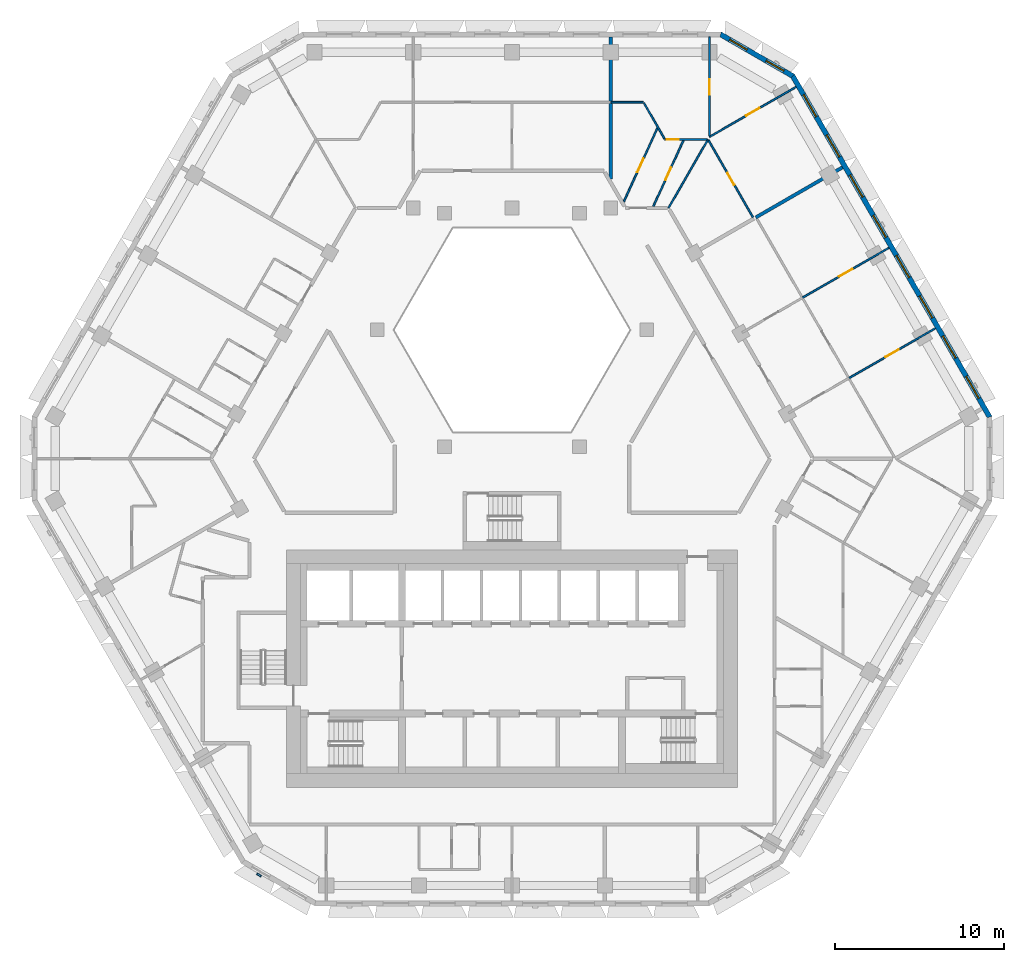
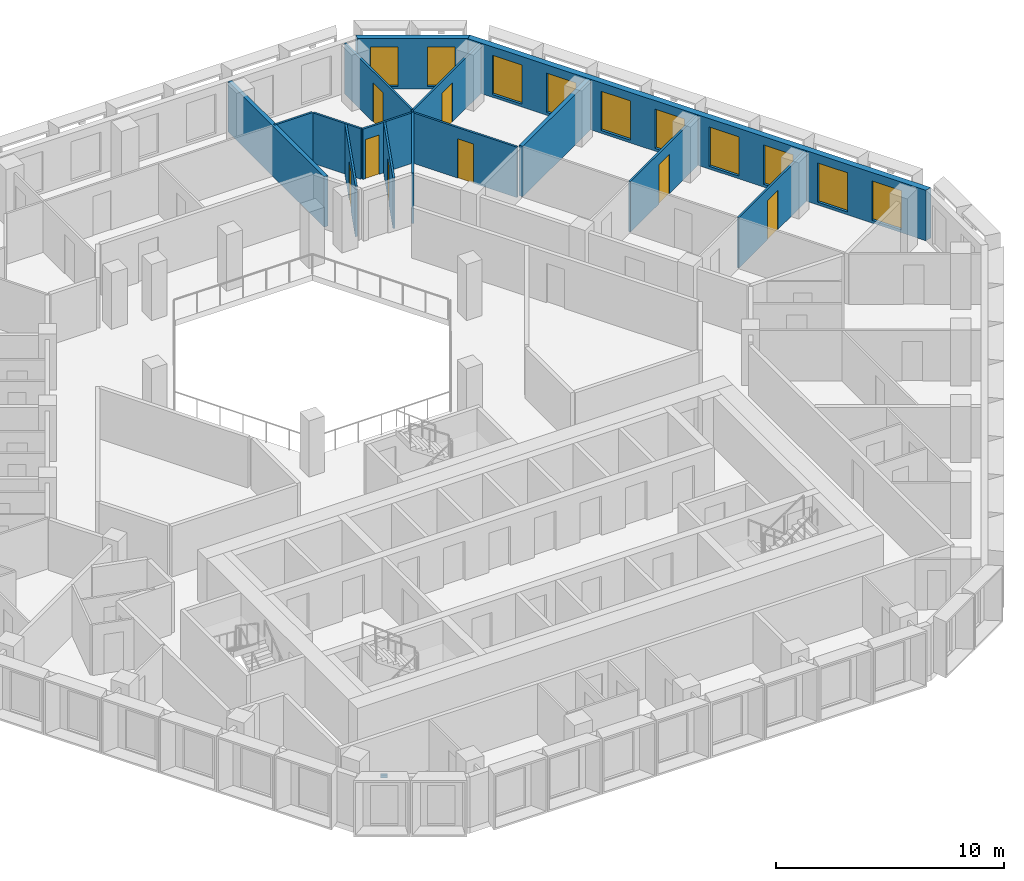
# One storey, part 9 of 17: 15 walls, 10 windows, 8 doors, 1 discrete accessory, 18 openings.
"""IFC4 building model written with IfcOpenShell, lengths in metres."""

from ifc_helpers import new_model, si_unit, direction, frame, frame_2d, origin, place, context, subcontext, project, spatial, polyline, rectangle, outline, extrude, source, transform, mapped, material, layer, layer_set, type_object, type_shapes, element, fill, save


model = new_model("IFC4")

# Units and contexts
model_context = context("Model", 3, precision=1e-05, world=origin(), true_north=direction((0.0, 1.0)))
body_context = subcontext(model_context, "Body", "Model", "MODEL_VIEW")
ifc_project = project(units=[si_unit("LENGTHUNIT", "METRE"), si_unit("AREAUNIT", "SQUARE_METRE"), si_unit("VOLUMEUNIT", "CUBIC_METRE"), si_unit("PLANEANGLEUNIT", "RADIAN"), si_unit("MASSUNIT", "GRAM", prefix="KILO")], contexts=[model_context])

# Site, building, storey
site_placement = place(None, origin())
site = spatial("IfcSite", under=ifc_project, at=site_placement, CompositionType="ELEMENT")
building_placement = place(site_placement, origin())
building = spatial("IfcBuilding", under=site, at=building_placement, Name="Beryl Residences", CompositionType="ELEMENT")
storey_placement = place(building_placement, frame((0.0, 0.0, 126.60009765625)))
storey = spatial("IfcBuildingStorey", under=building, at=storey_placement, Name="L38", CompositionType="ELEMENT", Elevation=126.60009765625)

# Wall, openings, windows
ifc_material_1 = material(Name="Composite metal panel with mineral wool insulation")
ifc_layer_1 = layer(ifc_material_1, 0.300048828125)
ifc_layer_set_1 = layer_set([ifc_layer_1], Name="ES1 pale metal composite panel wall 300 mm")
wall_type_1 = type_object("IfcWallType", Name="ES1 pale metal composite panel wall 300 mm", PredefinedType="SOLIDWALL", material=ifc_layer_set_1)
wall_1_placement = place(storey_placement, frame((28.218017578125, 2.824951171875, 0.0), z_axis=(0.0, 0.0, 1.0), x_axis=(-0.500020536353, 0.866013546791, 0.0)))
wall_1 = element("IfcWall", 1, at=wall_1_placement, inside=storey, type_object=wall_type_1, Name="ES1 external wall L38 NE", PredefinedType="SOLIDWALL", context=body_context, shape_type="SweptSolid", body=[
    extrude(outline(polyline([(0.0, -0.14990234375), (23.3251953125, -0.14990234375), (23.244873046875, 0.14990234375), (0.080322265625, 0.14990234375), (0.0, -0.14990234375)])), origin(), (0.0, 0.0, 1.0), 2.699951171875),
])
opening_1_placement = place(wall_1_placement, frame((1.31396484375, 0.0, 0.14990234375)))
opening_1 = element("IfcOpeningElement", 2, at=opening_1_placement, cuts=wall_1, Name="Opening W1", PredefinedType="OPENING", context=body_context, shape_type="SweptSolid", body=[
    extrude(rectangle(XDim=1.5, YDim=2.10009765625, at=frame_2d((0.75, 1.050048828125))), frame((0.0, 0.159912109375, 0.0), z_axis=(0.0, -1.0, 0.0), x_axis=(1.0, 0.0, 0.0)), (0.0, 0.0, 1.0), 0.320068359375),
])
opening_2_placement = place(wall_1_placement, frame((4.055908203125, 0.0, 0.14990234375)))
opening_2 = element("IfcOpeningElement", 3, at=opening_2_placement, cuts=wall_1, Name="Opening W1", PredefinedType="OPENING", context=body_context, shape_type="SweptSolid", body=[
    extrude(rectangle(XDim=1.5, YDim=2.10009765625, at=frame_2d((0.75, 1.050048828125))), frame((0.0, 0.159912109375, 0.0), z_axis=(0.0, -1.0, 0.0), x_axis=(1.0, 0.0, 0.0)), (0.0, 0.0, 1.0), 0.320068359375),
])
opening_3_placement = place(wall_1_placement, frame((6.798095703125, 0.0, 0.14990234375)))
opening_3 = element("IfcOpeningElement", 4, at=opening_3_placement, cuts=wall_1, Name="Opening W1", PredefinedType="OPENING", context=body_context, shape_type="SweptSolid", body=[
    extrude(rectangle(XDim=1.5, YDim=2.10009765625, at=frame_2d((0.75, 1.050048828125))), frame((0.0, 0.159912109375, 0.0), z_axis=(0.0, -1.0, 0.0), x_axis=(1.0, 0.0, 0.0)), (0.0, 0.0, 1.0), 0.320068359375),
])
opening_4_placement = place(wall_1_placement, frame((9.541015625, 0.0, 0.14990234375)))
opening_4 = element("IfcOpeningElement", 5, at=opening_4_placement, cuts=wall_1, Name="Opening W1", PredefinedType="OPENING", context=body_context, shape_type="SweptSolid", body=[
    extrude(rectangle(XDim=1.5, YDim=2.10009765625, at=frame_2d((0.75, 1.050048828125))), frame((0.0, 0.159912109375, 0.0), z_axis=(0.0, -1.0, 0.0), x_axis=(1.0, 0.0, 0.0)), (0.0, 0.0, 1.0), 0.320068359375),
])
opening_5_placement = place(wall_1_placement, frame((12.283935546875, 0.0, 0.14990234375)))
opening_5 = element("IfcOpeningElement", 6, at=opening_5_placement, cuts=wall_1, Name="Opening W1", PredefinedType="OPENING", context=body_context, shape_type="SweptSolid", body=[
    extrude(rectangle(XDim=1.5, YDim=2.10009765625, at=frame_2d((0.75, 1.050048828125))), frame((0.0, 0.159912109375, 0.0), z_axis=(0.0, -1.0, 0.0), x_axis=(1.0, 0.0, 0.0)), (0.0, 0.0, 1.0), 0.320068359375),
])
opening_6_placement = place(wall_1_placement, frame((15.027099609375, 0.0, 0.14990234375)))
opening_6 = element("IfcOpeningElement", 7, at=opening_6_placement, cuts=wall_1, Name="Opening W1", PredefinedType="OPENING", context=body_context, shape_type="SweptSolid", body=[
    extrude(rectangle(XDim=1.5, YDim=2.10009765625, at=frame_2d((0.75, 1.050048828125))), frame((0.0, 0.159912109375, 0.0), z_axis=(0.0, -1.0, 0.0), x_axis=(1.0, 0.0, 0.0)), (0.0, 0.0, 1.0), 0.320068359375),
])
opening_7_placement = place(wall_1_placement, frame((17.76904296875, 0.0, 0.14990234375)))
opening_7 = element("IfcOpeningElement", 8, at=opening_7_placement, cuts=wall_1, Name="Opening W1", PredefinedType="OPENING", context=body_context, shape_type="SweptSolid", body=[
    extrude(rectangle(XDim=1.5, YDim=2.10009765625, at=frame_2d((0.75, 1.050048828125))), frame((0.0, 0.159912109375, 0.0), z_axis=(0.0, -1.0, 0.0), x_axis=(1.0, 0.0, 0.0)), (0.0, 0.0, 1.0), 0.320068359375),
])
opening_8_placement = place(wall_1_placement, frame((20.510986328125, 0.0, 0.14990234375)))
opening_8 = element("IfcOpeningElement", 9, at=opening_8_placement, cuts=wall_1, Name="Opening W1", PredefinedType="OPENING", context=body_context, shape_type="SweptSolid", body=[
    extrude(rectangle(XDim=1.5, YDim=2.10009765625, at=frame_2d((0.75, 1.050048828125))), frame((0.0, 0.159912109375, 0.0), z_axis=(0.0, -1.0, 0.0), x_axis=(1.0, 0.0, 0.0)), (0.0, 0.0, 1.0), 0.320068359375),
])
ifc_material_2 = material(Name="Aluminium and clear glass", Category="aluminium")
window_type_1 = type_object("IfcWindowType", Name="W1 cell window 1500 x 2100 mm", PartitioningType="SINGLE_PANEL", PredefinedType="WINDOW", material=ifc_material_2)
window_1_placement = place(opening_1_placement, origin())
window_1 = element("IfcWindow", 10, at=window_1_placement, inside=storey, type_object=window_type_1, Name="W1 window L38 NE 1", OverallHeight=2.10009765625, OverallWidth=1.5, PartitioningType="SINGLE_PANEL", PredefinedType="WINDOW", context=body_context, shape_type="SweptSolid", body=[
    extrude(rectangle(XDim=1.5, YDim=2.10009765625, at=frame_2d((0.75, 1.050048828125))), frame((0.0, 0.030029296875, 0.0), z_axis=(0.0, -1.0, 0.0), x_axis=(1.0, 0.0, 0.0)), (0.0, 0.0, 1.0), 0.06005859375),
])
fill(opening_1, window_1)
window_2_placement = place(opening_2_placement, origin())
window_2 = element("IfcWindow", 11, at=window_2_placement, inside=storey, type_object=window_type_1, Name="W1 window L38 NE 2", OverallHeight=2.10009765625, OverallWidth=1.5, PartitioningType="SINGLE_PANEL", PredefinedType="WINDOW", context=body_context, shape_type="SweptSolid", body=[
    extrude(rectangle(XDim=1.5, YDim=2.10009765625, at=frame_2d((0.75, 1.050048828125))), frame((0.0, 0.030029296875, 0.0), z_axis=(0.0, -1.0, 0.0), x_axis=(1.0, 0.0, 0.0)), (0.0, 0.0, 1.0), 0.06005859375),
])
fill(opening_2, window_2)
window_3_placement = place(opening_3_placement, origin())
window_3 = element("IfcWindow", 12, at=window_3_placement, inside=storey, type_object=window_type_1, Name="W1 window L38 NE 3", OverallHeight=2.10009765625, OverallWidth=1.5, PartitioningType="SINGLE_PANEL", PredefinedType="WINDOW", context=body_context, shape_type="SweptSolid", body=[
    extrude(rectangle(XDim=1.5, YDim=2.10009765625, at=frame_2d((0.75, 1.050048828125))), frame((0.0, 0.030029296875, 0.0), z_axis=(0.0, -1.0, 0.0), x_axis=(1.0, 0.0, 0.0)), (0.0, 0.0, 1.0), 0.06005859375),
])
fill(opening_3, window_3)
window_4_placement = place(opening_4_placement, origin())
window_4 = element("IfcWindow", 13, at=window_4_placement, inside=storey, type_object=window_type_1, Name="W1 window L38 NE 4", OverallHeight=2.10009765625, OverallWidth=1.5, PartitioningType="SINGLE_PANEL", PredefinedType="WINDOW", context=body_context, shape_type="SweptSolid", body=[
    extrude(rectangle(XDim=1.5, YDim=2.10009765625, at=frame_2d((0.75, 1.050048828125))), frame((0.0, 0.030029296875, 0.0), z_axis=(0.0, -1.0, 0.0), x_axis=(1.0, 0.0, 0.0)), (0.0, 0.0, 1.0), 0.06005859375),
])
fill(opening_4, window_4)
window_5_placement = place(opening_5_placement, origin())
window_5 = element("IfcWindow", 14, at=window_5_placement, inside=storey, type_object=window_type_1, Name="W1 window L38 NE 5", OverallHeight=2.10009765625, OverallWidth=1.5, PartitioningType="SINGLE_PANEL", PredefinedType="WINDOW", context=body_context, shape_type="SweptSolid", body=[
    extrude(rectangle(XDim=1.5, YDim=2.10009765625, at=frame_2d((0.75, 1.050048828125))), frame((0.0, 0.030029296875, 0.0), z_axis=(0.0, -1.0, 0.0), x_axis=(1.0, 0.0, 0.0)), (0.0, 0.0, 1.0), 0.06005859375),
])
fill(opening_5, window_5)
window_6_placement = place(opening_6_placement, origin())
window_6 = element("IfcWindow", 15, at=window_6_placement, inside=storey, type_object=window_type_1, Name="W1 window L38 NE 6", OverallHeight=2.10009765625, OverallWidth=1.5, PartitioningType="SINGLE_PANEL", PredefinedType="WINDOW", context=body_context, shape_type="SweptSolid", body=[
    extrude(rectangle(XDim=1.5, YDim=2.10009765625, at=frame_2d((0.75, 1.050048828125))), frame((0.0, 0.030029296875, 0.0), z_axis=(0.0, -1.0, 0.0), x_axis=(1.0, 0.0, 0.0)), (0.0, 0.0, 1.0), 0.06005859375),
])
fill(opening_6, window_6)
window_7_placement = place(opening_7_placement, origin())
window_7 = element("IfcWindow", 16, at=window_7_placement, inside=storey, type_object=window_type_1, Name="W1 window L38 NE 7", OverallHeight=2.10009765625, OverallWidth=1.5, PartitioningType="SINGLE_PANEL", PredefinedType="WINDOW", context=body_context, shape_type="SweptSolid", body=[
    extrude(rectangle(XDim=1.5, YDim=2.10009765625, at=frame_2d((0.75, 1.050048828125))), frame((0.0, 0.030029296875, 0.0), z_axis=(0.0, -1.0, 0.0), x_axis=(1.0, 0.0, 0.0)), (0.0, 0.0, 1.0), 0.06005859375),
])
fill(opening_7, window_7)
window_8_placement = place(opening_8_placement, origin())
window_8 = element("IfcWindow", 17, at=window_8_placement, inside=storey, type_object=window_type_1, Name="W1 window L38 NE 8", OverallHeight=2.10009765625, OverallWidth=1.5, PartitioningType="SINGLE_PANEL", PredefinedType="WINDOW", context=body_context, shape_type="SweptSolid", body=[
    extrude(rectangle(XDim=1.5, YDim=2.10009765625, at=frame_2d((0.75, 1.050048828125))), frame((0.0, 0.030029296875, 0.0), z_axis=(0.0, -1.0, 0.0), x_axis=(1.0, 0.0, 0.0)), (0.0, 0.0, 1.0), 0.06005859375),
])
fill(opening_8, window_8)

wall_2_placement = place(storey_placement, frame((16.610107421875, 22.969970703125, 0.0), z_axis=(0.0, 0.0, 1.0), x_axis=(-0.866022959057, 0.500004234368, 0.0)))
wall_2 = element("IfcWall", 18, at=wall_2_placement, inside=storey, type_object=wall_type_1, Name="ES1 external wall L38 NE-N", PredefinedType="SOLIDWALL", context=body_context, shape_type="SweptSolid", body=[
    extrude(outline(polyline([(0.0, -0.14990234375), (5.0, -0.14990234375), (4.919677734375, 0.14990234375), (0.080322265625, 0.14990234375), (0.0, -0.14990234375)])), origin(), (0.0, 0.0, 1.0), 2.699951171875),
])
opening_9_placement = place(wall_2_placement, frame((0.64990234375, 0.0, 0.14990234375)))
opening_9 = element("IfcOpeningElement", 19, at=opening_9_placement, cuts=wall_2, Name="Opening W2", PredefinedType="OPENING", context=body_context, shape_type="SweptSolid", body=[
    extrude(rectangle(XDim=1.199951171875, YDim=2.10009765625, at=frame_2d((0.60009765625, 1.050048828125))), frame((0.0, 0.159912109375, 0.0), z_axis=(0.0, -1.0, 0.0), x_axis=(1.0, 0.0, 0.0)), (0.0, 0.0, 1.0), 0.320068359375),
])
opening_10_placement = place(wall_2_placement, frame((3.14990234375, 0.0, 0.14990234375)))
opening_10 = element("IfcOpeningElement", 20, at=opening_10_placement, cuts=wall_2, Name="Opening W2", PredefinedType="OPENING", context=body_context, shape_type="SweptSolid", body=[
    extrude(rectangle(XDim=1.199951171875, YDim=2.10009765625, at=frame_2d((0.60009765625, 1.050048828125))), frame((0.0, 0.159912109375, 0.0), z_axis=(0.0, -1.0, 0.0), x_axis=(1.0, 0.0, 0.0)), (0.0, 0.0, 1.0), 0.320068359375),
])
ifc_material_3 = material(Name="Aluminium and clear glass", Category="aluminium")
window_type_2 = type_object("IfcWindowType", Name="W2 chamfer window 1200 x 2100 mm", PartitioningType="SINGLE_PANEL", PredefinedType="WINDOW", material=ifc_material_3)
window_9_placement = place(opening_9_placement, origin())
window_9 = element("IfcWindow", 21, at=window_9_placement, inside=storey, type_object=window_type_2, Name="W2 window L38 NE-N 1", OverallHeight=2.10009765625, OverallWidth=1.199951171875, PartitioningType="SINGLE_PANEL", PredefinedType="WINDOW", context=body_context, shape_type="SweptSolid", body=[
    extrude(rectangle(XDim=1.199951171875, YDim=2.10009765625, at=frame_2d((0.60009765625, 1.050048828125))), frame((0.0, 0.030029296875, 0.0), z_axis=(0.0, -1.0, 0.0), x_axis=(1.0, 0.0, 0.0)), (0.0, 0.0, 1.0), 0.06005859375),
])
fill(opening_9, window_9)
window_10_placement = place(opening_10_placement, origin())
window_10 = element("IfcWindow", 22, at=window_10_placement, inside=storey, type_object=window_type_2, Name="W2 window L38 NE-N 2", OverallHeight=2.10009765625, OverallWidth=1.199951171875, PartitioningType="SINGLE_PANEL", PredefinedType="WINDOW", context=body_context, shape_type="SweptSolid", body=[
    extrude(rectangle(XDim=1.199951171875, YDim=2.10009765625, at=frame_2d((0.60009765625, 1.050048828125))), frame((0.0, 0.030029296875, 0.0), z_axis=(0.0, -1.0, 0.0), x_axis=(1.0, 0.0, 0.0)), (0.0, 0.0, 1.0), 0.06005859375),
])
fill(opening_10, window_10)

# Wall
ifc_material_4 = material(Name="Gypsum board partition on steel studs", Category="steel")
ifc_layer_2 = layer(ifc_material_4, 0.10009765625)
ifc_layer_set_2 = layer_set([ifc_layer_2], Name="PT1 partition 100 mm gypsum board on steel studs")
wall_type_2 = type_object("IfcWallType", Name="PT1 partition 100 mm gypsum board on steel studs", PredefinedType="PARTITIONING", material=ifc_layer_set_2)
wall_3_placement = place(storey_placement, frame((7.7919921875, 21.39599609375, 0.0), z_axis=(0.0, 0.0, 1.0), x_axis=(0.499821239653, -0.866128586522, 0.0)))
element("IfcWall", 23, at=wall_3_placement, inside=storey, type_object=wall_type_2, Name="Wall PT1 L38 003", PredefinedType="PARTITIONING", context=body_context, shape_type="SweptSolid", body=[
    extrude(rectangle(XDim=2.4248046875, YDim=0.10009765625, at=frame_2d((1.21240234375, 0.0))), origin(), (0.0, 0.0, 1.0), 2.699951171875),
])

# Wall, opening, door
wall_4_placement = place(storey_placement, frame((11.60302734375, 19.196044921875, 0.0), z_axis=(0.0, 0.0, 1.0), x_axis=(0.499913406181, -0.866075392977, 0.0)))
wall_4 = element("IfcWall", 24, at=wall_4_placement, inside=storey, type_object=wall_type_2, Name="Wall PT1 L38 004", PredefinedType="PARTITIONING", context=body_context, shape_type="SweptSolid", body=[
    extrude(rectangle(XDim=5.23876953125, YDim=0.10009765625, at=frame_2d((2.619384765625, 0.0))), origin(), (0.0, 0.0, 1.0), 2.699951171875),
])
opening_11_placement = place(wall_4_placement, frame((2.239990234375, 0.0, 0.0)))
opening_11 = element("IfcOpeningElement", 25, at=opening_11_placement, cuts=wall_4, Name="Opening D1007", PredefinedType="OPENING", context=body_context, shape_type="SweptSolid", body=[
    extrude(rectangle(XDim=0.800048828125, YDim=2.10009765625, at=frame_2d((0.39990234375, 1.050048828125))), frame((0.0, 0.06005859375, 0.0), z_axis=(0.0, -1.0, 0.0), x_axis=(1.0, 0.0, 0.0)), (0.0, 0.0, 1.0), 0.1201171875),
])
ifc_material_5 = material(Name="Timber door leaf", Category="wood")
door_type_1 = type_object("IfcDoorType", Name="D3 bathroom door 800 x 2100 mm", OperationType="SINGLE_SWING_LEFT", PredefinedType="DOOR", material=ifc_material_5)
door_1_placement = place(opening_11_placement, origin())
door_1 = element("IfcDoor", 26, at=door_1_placement, inside=storey, type_object=door_type_1, Name="Door D1007 L38 001", OperationType="SINGLE_SWING_LEFT", OverallHeight=2.10009765625, OverallWidth=0.800048828125, PredefinedType="DOOR", context=body_context, shape_type="SweptSolid", body=[
    extrude(rectangle(XDim=0.800048828125, YDim=2.10009765625, at=frame_2d((0.39990234375, 1.050048828125))), frame((0.0, 0.02490234375, 0.0), z_axis=(0.0, -1.0, 0.0), x_axis=(1.0, 0.0, 0.0)), (0.0, 0.0, 1.0), 0.050048828125),
])
fill(opening_11, door_1)

wall_5_placement = place(storey_placement, frame((9.032958984375, 19.24609375, 0.0), z_axis=(0.0, 0.0, 1.0), x_axis=(1.0, 0.0, 0.0)))
wall_5 = element("IfcWall", 27, at=wall_5_placement, inside=storey, type_object=wall_type_2, Name="Wall PT1 L38 028", PredefinedType="PARTITIONING", context=body_context, shape_type="SweptSolid", body=[
    extrude(rectangle(XDim=2.483154296875, YDim=0.10009765625, at=frame_2d((1.24169921875, 0.0))), origin(), (0.0, 0.0, 1.0), 2.699951171875),
])
opening_12_placement = place(wall_5_placement, frame((0.116943359375, 0.0, 0.0)))
opening_12 = element("IfcOpeningElement", 28, at=opening_12_placement, cuts=wall_5, Name="Opening D1004", PredefinedType="OPENING", context=body_context, shape_type="SweptSolid", body=[
    extrude(rectangle(XDim=0.699951171875, YDim=2.10009765625, at=frame_2d((0.35009765625, 1.050048828125))), frame((0.0, 0.06005859375, 0.0), z_axis=(0.0, -1.0, 0.0), x_axis=(1.0, 0.0, 0.0)), (0.0, 0.0, 1.0), 0.1201171875),
])
ifc_material_6 = material(Name="Timber door leaf", Category="wood")
door_type_2 = type_object("IfcDoorType", Name="D14 room door 700 x 2100 mm", OperationType="SINGLE_SWING_LEFT", PredefinedType="DOOR", material=ifc_material_6)
door_2_placement = place(opening_12_placement, origin())
door_2 = element("IfcDoor", 29, at=door_2_placement, inside=storey, type_object=door_type_2, Name="Door D1004 L38 001", OperationType="SINGLE_SWING_RIGHT", OverallHeight=2.10009765625, OverallWidth=0.699951171875, PredefinedType="DOOR", context=body_context, shape_type="SweptSolid", body=[
    extrude(rectangle(XDim=0.699951171875, YDim=2.10009765625, at=frame_2d((0.35009765625, 1.050048828125))), frame((0.0, 0.02490234375, 0.0), z_axis=(0.0, -1.0, 0.0), x_axis=(1.0, 0.0, 0.0)), (0.0, 0.0, 1.0), 0.050048828125),
])
fill(opening_12, door_2)

# Wall
wall_6_placement = place(storey_placement, frame((9.238037109375, 15.199951171875, 0.0), z_axis=(0.0, 0.0, 1.0), x_axis=(0.499983303743, 0.866035043158, 0.0)))
element("IfcWall", 30, at=wall_6_placement, inside=storey, type_object=wall_type_2, Name="Wall PT1 L38 030", PredefinedType="PARTITIONING", context=body_context, shape_type="SweptSolid", body=[
    extrude(rectangle(XDim=4.672119140625, YDim=0.10009765625, at=frame_2d((2.3359375, 0.0))), origin(), (0.0, 0.0, 1.0), 2.699951171875),
])

# Wall, opening, door
wall_7_placement = place(storey_placement, frame((8.345947265625, 15.300048828125, 0.0), z_axis=(0.0, 0.0, 1.0), x_axis=(0.415189790387, 0.909734817383, 0.0)))
wall_7 = element("IfcWall", 31, at=wall_7_placement, inside=storey, type_object=wall_type_2, Name="Wall PT1 L38 037", PredefinedType="PARTITIONING", context=body_context, shape_type="SweptSolid", body=[
    extrude(rectangle(XDim=4.282470703125, YDim=0.10009765625, at=frame_2d((2.14111328125, 0.0))), origin(), (0.0, 0.0, 1.0), 2.699951171875),
])
opening_13_placement = place(wall_7_placement, frame((1.714111328125, 0.0, 0.0)))
opening_13 = element("IfcOpeningElement", 32, at=opening_13_placement, cuts=wall_7, Name="Opening D1003", PredefinedType="OPENING", context=body_context, shape_type="SweptSolid", body=[
    extrude(rectangle(XDim=0.800048828125, YDim=2.10009765625, at=frame_2d((0.39990234375, 1.050048828125))), frame((0.0, 0.06005859375, 0.0), z_axis=(0.0, -1.0, 0.0), x_axis=(1.0, 0.0, 0.0)), (0.0, 0.0, 1.0), 0.1201171875),
])
door_3_placement = place(opening_13_placement, origin())
door_3 = element("IfcDoor", 33, at=door_3_placement, inside=storey, type_object=door_type_1, Name="Door D1003 L38 001", OperationType="SINGLE_SWING_LEFT", OverallHeight=2.10009765625, OverallWidth=0.800048828125, PredefinedType="DOOR", context=body_context, shape_type="SweptSolid", body=[
    extrude(rectangle(XDim=0.800048828125, YDim=2.10009765625, at=frame_2d((0.39990234375, 1.050048828125))), frame((0.0, 0.02490234375, 0.0), z_axis=(0.0, -1.0, 0.0), x_axis=(1.0, 0.0, 0.0)), (0.0, 0.0, 1.0), 0.050048828125),
])
fill(opening_13, door_3)

wall_8_placement = place(storey_placement, frame((6.60009765625, 15.569091796875, 0.0), z_axis=(0.0, 0.0, 1.0), x_axis=(0.415221636251, 0.909720282718, 0.0)))
wall_8 = element("IfcWall", 34, at=wall_8_placement, inside=storey, type_object=wall_type_2, Name="Wall PT1 L38 038", PredefinedType="PARTITIONING", context=body_context, shape_type="SweptSolid", body=[
    extrude(rectangle(XDim=4.78271484375, YDim=0.10009765625, at=frame_2d((2.391357421875, 0.0))), origin(), (0.0, 0.0, 1.0), 2.699951171875),
])
opening_14_placement = place(wall_8_placement, frame((1.910888671875, 0.0, 0.0)))
opening_14 = element("IfcOpeningElement", 35, at=opening_14_placement, cuts=wall_8, Name="Opening D1002", PredefinedType="OPENING", context=body_context, shape_type="SweptSolid", body=[
    extrude(rectangle(XDim=0.89990234375, YDim=2.10009765625, at=frame_2d((0.449951171875, 1.050048828125))), frame((0.0, 0.06005859375, 0.0), z_axis=(0.0, -1.0, 0.0), x_axis=(1.0, 0.0, 0.0)), (0.0, 0.0, 1.0), 0.1201171875),
])
ifc_material_7 = material(Name="Timber door leaf", Category="wood")
door_type_3 = type_object("IfcDoorType", Name="D2 room door 900 x 2100 mm", OperationType="SINGLE_SWING_LEFT", PredefinedType="DOOR", material=ifc_material_7)
door_4_placement = place(opening_14_placement, origin())
door_4 = element("IfcDoor", 36, at=door_4_placement, inside=storey, type_object=door_type_3, Name="Door D1002 L38 001", OperationType="SINGLE_SWING_RIGHT", OverallHeight=2.10009765625, OverallWidth=0.89990234375, PredefinedType="DOOR", context=body_context, shape_type="SweptSolid", body=[
    extrude(rectangle(XDim=0.89990234375, YDim=2.10009765625, at=frame_2d((0.449951171875, 1.050048828125))), frame((0.0, 0.02490234375, 0.0), z_axis=(0.0, -1.0, 0.0), x_axis=(1.0, 0.0, 0.0)), (0.0, 0.0, 1.0), 0.050048828125),
])
fill(opening_14, door_4)

wall_9_placement = place(storey_placement, frame((11.662109375, 19.4560546875, 0.0), z_axis=(0.0, 0.0, 1.0), x_axis=(0.0, 1.0, 0.0)))
wall_9 = element("IfcWall", 37, at=wall_9_placement, inside=storey, type_object=wall_type_2, Name="Wall PT1 L38 041", PredefinedType="PARTITIONING", context=body_context, shape_type="SweptSolid", body=[
    extrude(rectangle(XDim=5.843994140625, YDim=0.10009765625, at=frame_2d((2.921875, 0.0))), origin(), (0.0, 0.0, 1.0), 2.699951171875),
])
opening_15_placement = place(wall_9_placement, frame((2.443115234375, 0.0, 0.0)))
opening_15 = element("IfcOpeningElement", 38, at=opening_15_placement, cuts=wall_9, Name="Opening D1005", PredefinedType="OPENING", context=body_context, shape_type="SweptSolid", body=[
    extrude(rectangle(XDim=0.89990234375, YDim=2.10009765625, at=frame_2d((0.449951171875, 1.050048828125))), frame((0.0, 0.06005859375, 0.0), z_axis=(0.0, -1.0, 0.0), x_axis=(1.0, 0.0, 0.0)), (0.0, 0.0, 1.0), 0.1201171875),
])
door_5_placement = place(opening_15_placement, origin())
door_5 = element("IfcDoor", 39, at=door_5_placement, inside=storey, type_object=door_type_3, Name="Door D1005 L38 001", OperationType="SINGLE_SWING_LEFT", OverallHeight=2.10009765625, OverallWidth=0.89990234375, PredefinedType="DOOR", context=body_context, shape_type="SweptSolid", body=[
    extrude(rectangle(XDim=0.89990234375, YDim=2.10009765625, at=frame_2d((0.449951171875, 1.050048828125))), frame((0.0, 0.02490234375, 0.0), z_axis=(0.0, -1.0, 0.0), x_axis=(1.0, 0.0, 0.0)), (0.0, 0.0, 1.0), 0.050048828125),
])
fill(opening_15, door_5)

wall_10_placement = place(storey_placement, frame((11.6630859375, 19.39990234375, 0.0), z_axis=(0.0, 0.0, 1.0), x_axis=(0.865941558533, 0.500145196124, 0.0)))
wall_10 = element("IfcWall", 40, at=wall_10_placement, inside=storey, type_object=wall_type_2, Name="Wall PT1 L38 053", PredefinedType="PARTITIONING", context=body_context, shape_type="SweptSolid", body=[
    extrude(rectangle(XDim=5.898681640625, YDim=0.10009765625, at=frame_2d((2.94921875, 0.0))), origin(), (0.0, 0.0, 1.0), 2.699951171875),
])
opening_16_placement = place(wall_10_placement, frame((2.4990234375, 0.0, 0.0)))
opening_16 = element("IfcOpeningElement", 41, at=opening_16_placement, cuts=wall_10, Name="Opening D1006", PredefinedType="OPENING", context=body_context, shape_type="SweptSolid", body=[
    extrude(rectangle(XDim=0.89990234375, YDim=2.10009765625, at=frame_2d((0.449951171875, 1.050048828125))), frame((0.0, 0.06005859375, 0.0), z_axis=(0.0, -1.0, 0.0), x_axis=(1.0, 0.0, 0.0)), (0.0, 0.0, 1.0), 0.1201171875),
])
door_6_placement = place(opening_16_placement, origin())
door_6 = element("IfcDoor", 42, at=door_6_placement, inside=storey, type_object=door_type_3, Name="Door D1006 L38 001", OperationType="SINGLE_SWING_RIGHT", OverallHeight=2.10009765625, OverallWidth=0.89990234375, PredefinedType="DOOR", context=body_context, shape_type="SweptSolid", body=[
    extrude(rectangle(XDim=0.89990234375, YDim=2.10009765625, at=frame_2d((0.449951171875, 1.050048828125))), frame((0.0, 0.02490234375, 0.0), z_axis=(0.0, -1.0, 0.0), x_axis=(1.0, 0.0, 0.0)), (0.0, 0.0, 1.0), 0.050048828125),
])
fill(opening_16, door_6)

wall_11_placement = place(storey_placement, frame((19.889892578125, 5.14990234375, 0.0), z_axis=(0.0, 0.0, 1.0), x_axis=(0.865993310977, 0.500055582255, 0.0)))
wall_11 = element("IfcWall", 43, at=wall_11_placement, inside=storey, type_object=wall_type_2, Name="Wall PT1 L38 054", PredefinedType="PARTITIONING", context=body_context, shape_type="SweptSolid", body=[
    extrude(rectangle(XDim=5.899658203125, YDim=0.10009765625, at=frame_2d((2.94970703125, 0.0))), origin(), (0.0, 0.0, 1.0), 2.699951171875),
])
opening_17_placement = place(wall_11_placement, frame((2.5, 0.0, 0.0)))
opening_17 = element("IfcOpeningElement", 44, at=opening_17_placement, cuts=wall_11, Name="Opening D1053", PredefinedType="OPENING", context=body_context, shape_type="SweptSolid", body=[
    extrude(rectangle(XDim=0.89990234375, YDim=2.10009765625, at=frame_2d((0.449951171875, 1.050048828125))), frame((0.0, 0.06005859375, 0.0), z_axis=(0.0, -1.0, 0.0), x_axis=(1.0, 0.0, 0.0)), (0.0, 0.0, 1.0), 0.1201171875),
])
door_7_placement = place(opening_17_placement, origin())
door_7 = element("IfcDoor", 45, at=door_7_placement, inside=storey, type_object=door_type_3, Name="Door D1053 L38 001", OperationType="SINGLE_SWING_LEFT", OverallHeight=2.10009765625, OverallWidth=0.89990234375, PredefinedType="DOOR", context=body_context, shape_type="SweptSolid", body=[
    extrude(rectangle(XDim=0.89990234375, YDim=2.10009765625, at=frame_2d((0.449951171875, 1.050048828125))), frame((0.0, 0.02490234375, 0.0), z_axis=(0.0, -1.0, 0.0), x_axis=(1.0, 0.0, 0.0)), (0.0, 0.0, 1.0), 0.050048828125),
])
fill(opening_17, door_7)

wall_12_placement = place(storey_placement, frame((17.14697265625, 9.89990234375, 0.0), z_axis=(0.0, 0.0, 1.0), x_axis=(0.866034692906, 0.499983910424, 0.0)))
wall_12 = element("IfcWall", 46, at=wall_12_placement, inside=storey, type_object=wall_type_2, Name="Wall PT1 L38 055", PredefinedType="PARTITIONING", context=body_context, shape_type="SweptSolid", body=[
    extrude(rectangle(XDim=5.900634765625, YDim=0.10009765625, at=frame_2d((2.9501953125, 0.0))), origin(), (0.0, 0.0, 1.0), 2.699951171875),
])
opening_18_placement = place(wall_12_placement, frame((2.5, 0.0, 0.0)))
opening_18 = element("IfcOpeningElement", 47, at=opening_18_placement, cuts=wall_12, Name="Opening D1054", PredefinedType="OPENING", context=body_context, shape_type="SweptSolid", body=[
    extrude(rectangle(XDim=0.89990234375, YDim=2.10009765625, at=frame_2d((0.449951171875, 1.050048828125))), frame((0.0, 0.06005859375, 0.0), z_axis=(0.0, -1.0, 0.0), x_axis=(1.0, 0.0, 0.0)), (0.0, 0.0, 1.0), 0.1201171875),
])
door_8_placement = place(opening_18_placement, origin())
door_8 = element("IfcDoor", 48, at=door_8_placement, inside=storey, type_object=door_type_3, Name="Door D1054 L38 001", OperationType="SINGLE_SWING_RIGHT", OverallHeight=2.10009765625, OverallWidth=0.89990234375, PredefinedType="DOOR", context=body_context, shape_type="SweptSolid", body=[
    extrude(rectangle(XDim=0.89990234375, YDim=2.10009765625, at=frame_2d((0.449951171875, 1.050048828125))), frame((0.0, 0.02490234375, 0.0), z_axis=(0.0, -1.0, 0.0), x_axis=(1.0, 0.0, 0.0)), (0.0, 0.0, 1.0), 0.050048828125),
])
fill(opening_18, door_8)

# Walls
wall_13_placement = place(storey_placement, frame((5.8310546875, 21.446044921875, 0.0), z_axis=(0.0, 0.0, 1.0), x_axis=(1.0, 0.0, 0.0)))
element("IfcWall", 49, at=wall_13_placement, inside=storey, type_object=wall_type_2, Name="Wall PT1 L38 057", PredefinedType="PARTITIONING", context=body_context, shape_type="SweptSolid", body=[
    extrude(rectangle(XDim=1.931884765625, YDim=0.10009765625, at=frame_2d((0.9658203125, 0.0))), origin(), (0.0, 0.0, 1.0), 2.699951171875),
])
ifc_material_8 = material(Name="Acoustic double stud gypsum board wall")
ifc_layer_3 = layer(ifc_material_8, 0.199951171875)
ifc_layer_set_3 = layer_set([ifc_layer_3], Name="PT3 party wall 200 mm acoustic double stud")
wall_type_3 = type_object("IfcWallType", Name="PT3 party wall 200 mm acoustic double stud", PredefinedType="PARTITIONING", material=ifc_layer_set_3)
wall_14_placement = place(storey_placement, frame((5.8310546875, 16.89990234375, 0.0), z_axis=(0.0, 0.0, 1.0), x_axis=(0.0, 1.0, 0.0)))
element("IfcWall", 50, at=wall_14_placement, inside=storey, type_object=wall_type_3, Name="Wall PT3 L38 008", PredefinedType="PARTITIONING", context=body_context, shape_type="SweptSolid", body=[
    extrude(rectangle(XDim=8.400146484375, YDim=0.199951171875, at=frame_2d((4.2001953125, 0.0))), origin(), (0.0, 0.0, 1.0), 2.699951171875),
])
wall_15_placement = place(storey_placement, frame((14.387939453125, 14.639892578125, 0.0), z_axis=(0.0, 0.0, 1.0), x_axis=(0.866044090212, 0.499967632761, 0.0)))
element("IfcWall", 51, at=wall_15_placement, inside=storey, type_object=wall_type_3, Name="Wall PT3 L38 012", PredefinedType="PARTITIONING", context=body_context, shape_type="SweptSolid", body=[
    extrude(rectangle(XDim=5.9189453125, YDim=0.199951171875, at=frame_2d((2.95947265625, 0.0))), origin(), (0.0, 0.0, 1.0), 2.699951171875),
])

# Discrete accessory
ifc_material_9 = material(Name="Steel S355", Category="steel")
discrete_accessory_type = type_object("IfcDiscreteAccessoryType", Name="BR1 frame bracket 300 x 120 x 150 mm", PredefinedType="BRACKET", material=ifc_material_9)
shared_shape = source(origin(), body_context, "Body", "SweptSolid", [
    extrude(outline(polyline([(-0.14990234375, 0.0), (0.14990234375, 0.0), (0.14990234375, 0.1201171875), (-0.14990234375, 0.1201171875), (-0.14990234375, 0.0)])), origin(), (0.0, 0.0, 1.0), 0.14990234375),
])
type_shapes(discrete_accessory_type, [shared_shape])
discrete_accessory_placement = place(storey_placement, frame((-14.909912109375, -24.125, 2.75), z_axis=(0.0, 0.0, 1.0), x_axis=(-0.866025403784, 0.5, 0.0)))
element("IfcDiscreteAccessory", 52, at=discrete_accessory_placement, inside=storey, type_object=discrete_accessory_type, Name="BR1 bracket L38 SW-S 1", PredefinedType="BRACKET", context=body_context, shape_type="MappedRepresentation", body=[
    mapped(shared_shape, transform((0.0, 0.0, 0.0))),
])

save(model, "model.ifc")
